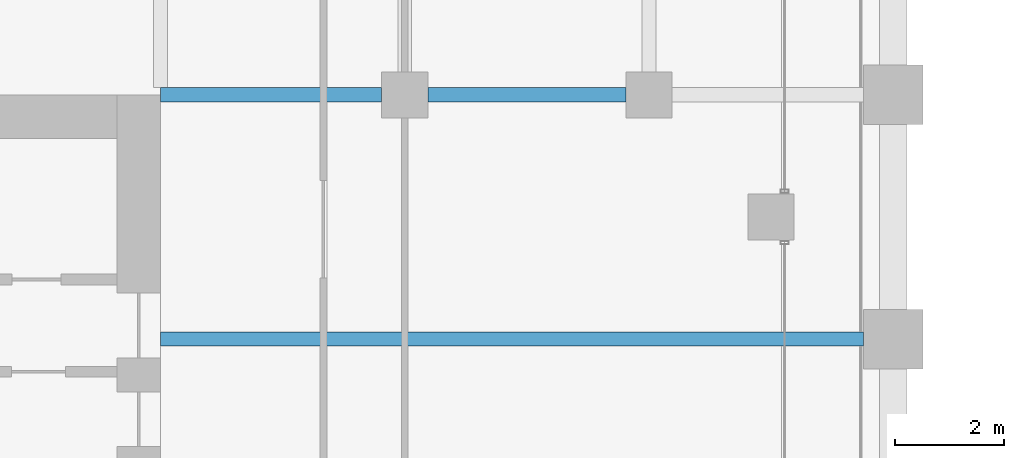
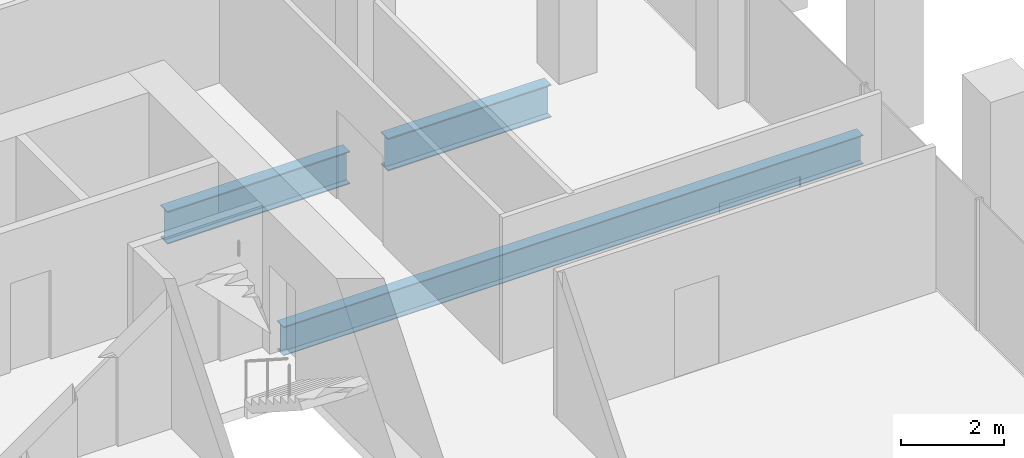
# One storey, part 21 of 54: 3 beams.
"""IFC4 building model written with IfcOpenShell, lengths in metres."""

from ifc_helpers import new_model, si_unit, direction, frame, origin, origin_2d, place, context, subcontext, project, spatial, i_section, extrude, material, material_profile, profile_set, type_object, element, save


model = new_model("IFC4")

# Units and contexts
model_context = context("Model", 3, precision=1e-05, world=origin(), true_north=direction((0.0, 1.0)))
body_context = subcontext(model_context, "Body", "Model", "MODEL_VIEW")
ifc_project = project(units=[si_unit("LENGTHUNIT", "METRE"), si_unit("AREAUNIT", "SQUARE_METRE"), si_unit("VOLUMEUNIT", "CUBIC_METRE"), si_unit("PLANEANGLEUNIT", "RADIAN"), si_unit("MASSUNIT", "GRAM", prefix="KILO")], contexts=[model_context])

# Site, building, storey
site_placement = place(None, origin())
site = spatial("IfcSite", under=ifc_project, at=site_placement, CompositionType="ELEMENT")
building_placement = place(site_placement, origin())
building = spatial("IfcBuilding", under=site, at=building_placement, Name="Altepetl Exchange Towers", CompositionType="ELEMENT")
storey_placement = place(building_placement, frame((0.0, 0.0, 58.199951171875)))
storey = spatial("IfcBuildingStorey", under=building, at=storey_placement, Name="L13", CompositionType="ELEMENT", Elevation=58.199951171875)

# Beams
ifc_material = material(Name="Steel S355", Category="steel")
ifc_material_profile_1 = material_profile(ifc_material, i_section(OverallWidth=0.25390625, OverallDepth=0.68408203125, WebThickness=0.012451171875, FlangeThickness=0.018798828125, at=origin_2d()), Name="W27X94")
ifc_profile_set_1 = profile_set([ifc_material_profile_1], Name="Steel S355")
beam_type_1 = type_object("IfcBeamType", Name="Floor beam W27X94", PredefinedType="BEAM", material=ifc_profile_set_1)
beam_1_placement = place(storey_placement, frame((58.5, 54.0, -0.491943359375), z_axis=(1.0, 0.0, 0.0), x_axis=(0.0, 1.0, 0.0)))
element("IfcBeam", 1, at=beam_1_placement, inside=storey, type_object=beam_type_1, Name="bm:A:L13:011", PredefinedType="BEAM", context=body_context, shape_type="SweptSolid", body=[
    extrude(i_section(OverallWidth=0.25390625, OverallDepth=0.68408203125, WebThickness=0.012451171875, FlangeThickness=0.018798828125, at=origin_2d()), origin(), (0.0, 0.0, 1.0), 12.949951171875),
])
ifc_material_profile_2 = material_profile(ifc_material, i_section(OverallWidth=0.26806640625, OverallDepth=0.77392578125, WebThickness=0.015380859375, FlangeThickness=0.025390625, at=origin_2d()), Name="W30X132")
ifc_profile_set_2 = profile_set([ifc_material_profile_2], Name="Steel S355")
beam_type_2 = type_object("IfcBeamType", Name="Girder W30X132", PredefinedType="BEAM", material=ifc_profile_set_2)
beam_2_placement = place(storey_placement, frame((58.5, 58.5, -0.536865234375), z_axis=(1.0, 0.0, 0.0), x_axis=(0.0, 1.0, 0.0)))
element("IfcBeam", 2, at=beam_2_placement, inside=storey, type_object=beam_type_2, Name="gd:A:L13:000", PredefinedType="BEAM", context=body_context, shape_type="SweptSolid", body=[
    extrude(i_section(OverallWidth=0.26806640625, OverallDepth=0.77392578125, WebThickness=0.015380859375, FlangeThickness=0.025390625, at=origin_2d()), origin(), (0.0, 0.0, 1.0), 4.074951171875),
])
beam_3_placement = place(storey_placement, frame((63.425048828125, 58.5, -0.536865234375), z_axis=(1.0, 0.0, 0.0), x_axis=(0.0, 1.0, 0.0)))
element("IfcBeam", 3, at=beam_3_placement, inside=storey, type_object=beam_type_2, Name="gd:A:L13:001", PredefinedType="BEAM", context=body_context, shape_type="SweptSolid", body=[
    extrude(i_section(OverallWidth=0.26806640625, OverallDepth=0.77392578125, WebThickness=0.015380859375, FlangeThickness=0.025390625, at=origin_2d()), origin(), (0.0, 0.0, 1.0), 3.64990234375),
])

save(model, "model.ifc")
